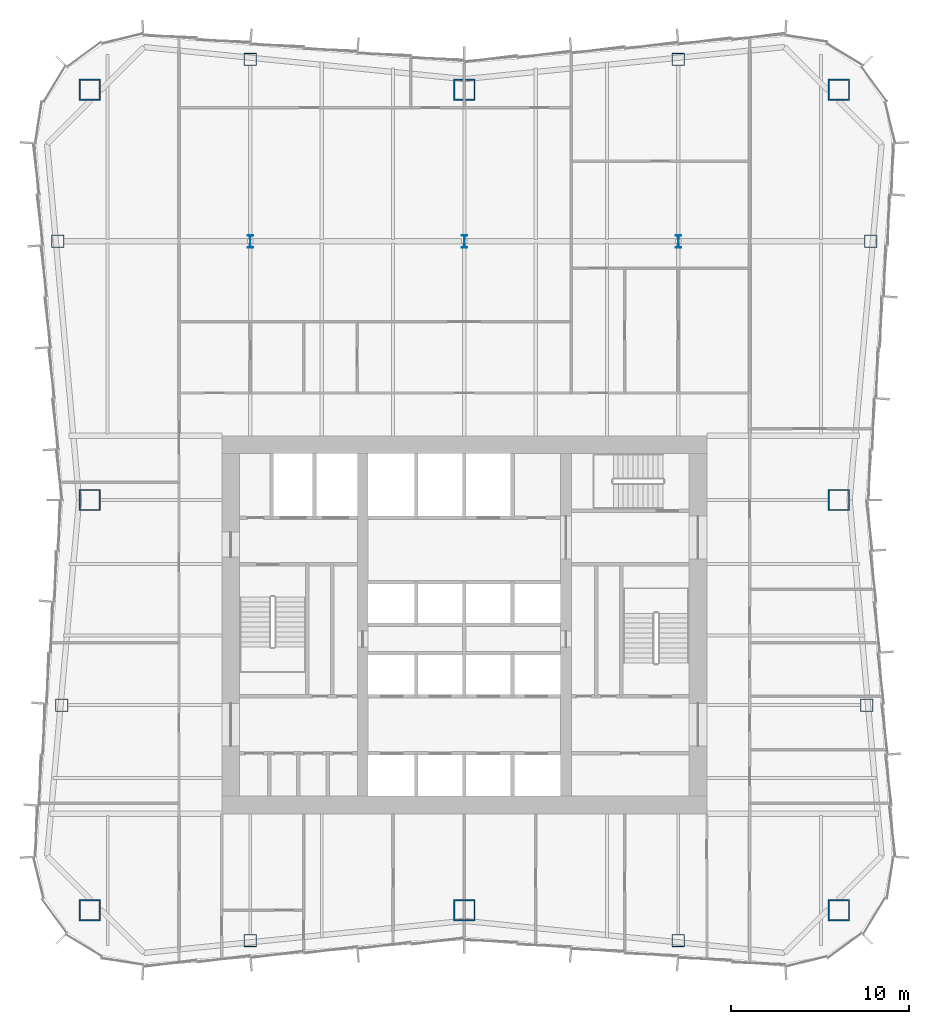
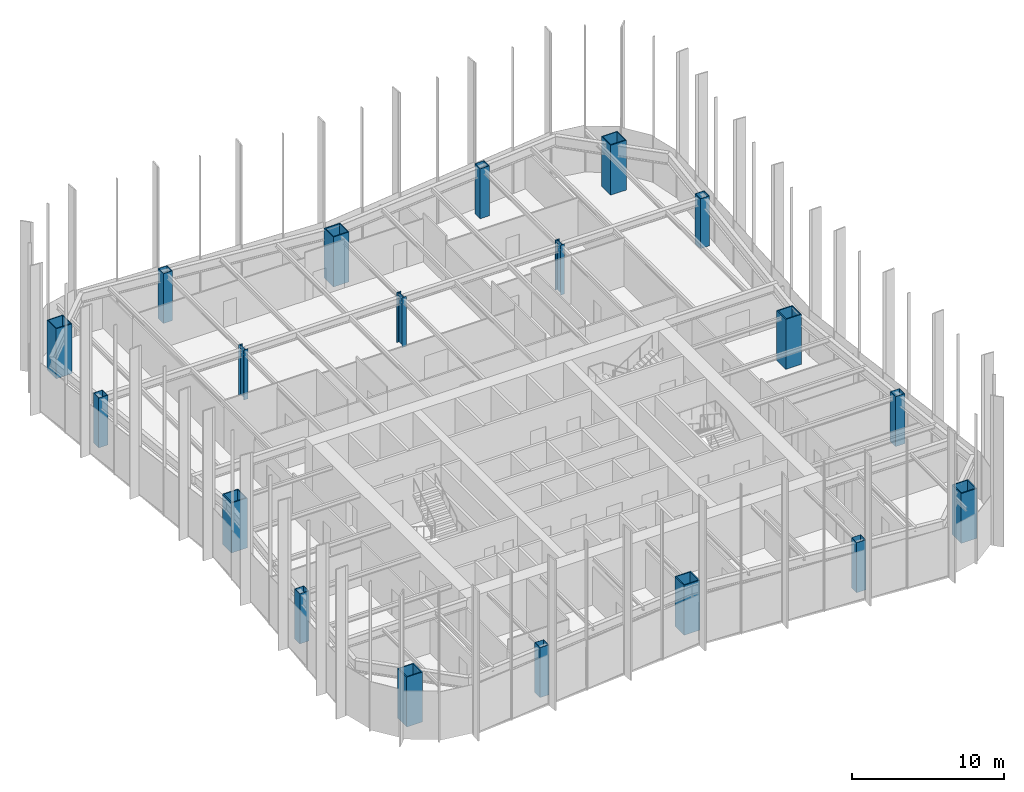
# One storey, part 1 of 14: 19 columns.
"""IFC4 building model written with IfcOpenShell, lengths in metres."""

import ifcopenshell
import ifcopenshell.guid

model = None  # the IFC model being written
_history = None  # IfcOwnerHistory: only IFC2X3 demands one
_inside = {}  # id of a spatial element -> (the spatial element, [elements in it])
_under = {}  # id of a project, library or spatial element -> (it, [spatial elements below it])
_declared = {}  # id of a project -> (the project, [libraries it declares])
_typed = {}  # id of a type object -> (the type object, [elements of that type])
_made_of = {}  # id of a material, layer set ... -> (it, [elements and type objects made of it])


def new_model(schema):
    """Start an empty IFC model of exactly this schema.

    Asked for "IFC4X3", IfcOpenShell would pick the latest addendum, in which some entities
    have other attributes; the version numbers below select the first issue.
    IFC2X3 requires an IfcOwnerHistory on every rooted entity: one is made here for all.
    """
    global model, _history
    if schema == "IFC4X3":
        model = ifcopenshell.file(schema_version=(4, 3, 0, 0))
    else:
        model = ifcopenshell.file(schema=schema)
    _inside.clear()
    _under.clear()
    _declared.clear()
    _typed.clear()
    _made_of.clear()
    _history = None
    if model.schema == "IFC2X3":
        org = make("IfcOrganization", Name="unknown")
        user = make(
            "IfcPersonAndOrganization",
            ThePerson=make("IfcPerson", FamilyName="unknown"),
            TheOrganization=org,
        )
        app = make(
            "IfcApplication",
            ApplicationDeveloper=org,
            Version="unknown",
            ApplicationFullName="unknown",
            ApplicationIdentifier="unknown",
        )
        _history = make(
            "IfcOwnerHistory",
            OwningUser=user,
            OwningApplication=app,
            ChangeAction="ADDED",
            CreationDate=0,
        )
    return model


def make(cls, **values):
    """One entity of the class cls with the attributes given. An attribute that is None is left unset."""
    return model.create_entity(
        cls, **{name: value for name, value in values.items() if value is not None}
    )


def rooted(cls, **values):
    """An entity with a GlobalId (a new one), such as an element, a storey or a relation."""
    return make(cls, GlobalId=ifcopenshell.guid.new(), OwnerHistory=_history, **values)


def si_unit(unit_type, name, prefix=None):
    """IfcSIUnit, for example si_unit("LENGTHUNIT", "METRE", prefix="MILLI")."""
    return make("IfcSIUnit", UnitType=unit_type, Prefix=prefix, Name=name)


def assignment(units):
    """IfcUnitAssignment: the units of a project."""
    return None if units is None else make("IfcUnitAssignment", Units=units)


def point(xyz):
    """IfcCartesianPoint."""
    return None if xyz is None else make("IfcCartesianPoint", Coordinates=xyz)


def direction(xyz):
    """IfcDirection."""
    return None if xyz is None else make("IfcDirection", DirectionRatios=xyz)


def frame(location, z_axis=None, x_axis=None):
    """IfcAxis2Placement3D, a coordinate frame: its origin and axes. An axis left out is left unset."""
    return make(
        "IfcAxis2Placement3D",
        Location=point(location),
        Axis=direction(z_axis),
        RefDirection=direction(x_axis),
    )


def frame_2d(location, x_axis=None):
    """IfcAxis2Placement2D, a coordinate frame in the plane: its origin and x axis."""
    return make(
        "IfcAxis2Placement2D", Location=point(location), RefDirection=direction(x_axis)
    )


def origin():
    """The frame at (0, 0, 0) with its axes left unset."""
    return frame((0.0, 0.0, 0.0))


def origin_2d():
    """The frame at (0, 0) in the plane with its x axis left unset."""
    return frame_2d((0.0, 0.0))


def place(relative_to, where):
    """IfcLocalPlacement: puts the frame where relative to a parent placement (None: the world)."""
    return make(
        "IfcLocalPlacement", PlacementRelTo=relative_to, RelativePlacement=where
    )


def context(
    kind, dimensions, precision=None, world=None, true_north=None, identifier=None
):
    """IfcGeometricRepresentationContext, for example the 3D "Model" context."""
    return make(
        "IfcGeometricRepresentationContext",
        ContextIdentifier=identifier,
        ContextType=kind,
        CoordinateSpaceDimension=dimensions,
        Precision=precision,
        WorldCoordinateSystem=world,
        TrueNorth=true_north,
    )


def subcontext(parent, identifier, kind, view, scale=None):
    """IfcGeometricRepresentationSubContext, for example "Body" below "Model"."""
    return make(
        "IfcGeometricRepresentationSubContext",
        ContextIdentifier=identifier,
        ContextType=kind,
        ParentContext=parent,
        TargetScale=scale,
        TargetView=view,
    )


def project(units=None, contexts=None):
    """IfcProject with its units and contexts."""
    return rooted(
        "IfcProject",
        Name="project",
        RepresentationContexts=contexts,
        UnitsInContext=assignment(units),
    )


def spatial(cls, under=None, at=None, **own):
    """A site, building, storey or space (cls), placed at a placement, below another one or the project."""
    s = rooted(cls, ObjectPlacement=at, **own)
    if under is not None:
        _under.setdefault(under.id(), (under, []))[1].append(s)
    return s


def profile(cls, at=None, kind="AREA", **sizes):
    """A parametric profile (cls). Its sizes go by their IFC names, for example OverallWidth=200.0."""
    return make(cls, ProfileType=kind, Position=at, **sizes)


def hollow_rectangle(**sizes):
    """IfcRectangleHollowProfileDef."""
    return profile("IfcRectangleHollowProfileDef", **sizes)


def i_section(**sizes):
    """IfcIShapeProfileDef."""
    return profile("IfcIShapeProfileDef", **sizes)


def extrude(swept, where, along, depth):
    """IfcExtrudedAreaSolid: the profile swept, set in the frame where, extruded along a direction by depth."""
    return make(
        "IfcExtrudedAreaSolid",
        SweptArea=swept,
        Position=where,
        ExtrudedDirection=direction(along),
        Depth=depth,
    )


def shape(context_of_items, identifier, shape_type, items):
    """IfcShapeRepresentation: the items that make up one representation, for example the "Body"."""
    return make(
        "IfcShapeRepresentation",
        ContextOfItems=context_of_items,
        RepresentationIdentifier=identifier,
        RepresentationType=shape_type,
        Items=items,
    )


def material(Name=None, Category=None):
    """IfcMaterial."""
    return make("IfcMaterial", Name=Name, Category=Category)


def material_profile(
    of_material, cross_section, Name=None, Category=None, Priority=None
):
    """IfcMaterialProfile: a cross section and its material."""
    return make(
        "IfcMaterialProfile",
        Name=Name,
        Material=of_material,
        Profile=cross_section,
        Priority=Priority,
        Category=Category,
    )


def profile_set(profiles, Name=None, composite=None):
    """IfcMaterialProfileSet."""
    return make(
        "IfcMaterialProfileSet",
        Name=Name,
        MaterialProfiles=profiles,
        CompositeProfile=composite,
    )


def made_of(thing, what):
    """Note that an element or type object is made of a material, layer set ...; save() writes the relation."""
    if what is not None:
        _made_of.setdefault(what.id(), (what, []))[1].append(thing)
    return thing


def type_object(cls, material=None, **own):
    """A type object (cls), such as IfcWallType, which elements share."""
    return made_of(rooted(cls, **own), material)


def element(
    cls,
    number,
    at=None,
    inside=None,
    cuts=None,
    type_object=None,
    material=None,
    context=None,
    identifier="Body",
    shape_type=None,
    held_by="IfcProductDefinitionShape",
    body=None,
    shapes=None,
    **own,
):
    """One element of the class cls, such as IfcWall. Its Tag is "e" and its number.

    at: its placement. inside: the storey or other place that contains it. cuts: it is an
    opening in that element (IfcRelVoidsElement). A single representation is given by context,
    identifier, shape_type and body (its items); several are given by shapes. held_by: the class
    of the entity that holds the representations. save() writes the other relations.
    """
    e = rooted(cls, Tag="e%d" % number, ObjectPlacement=at, **own)
    if body is not None:
        shapes = [shape(context, identifier, shape_type, body)]
    if shapes is not None:
        e.Representation = make(held_by, Representations=shapes)
    if inside is not None:
        _inside.setdefault(inside.id(), (inside, []))[1].append(e)
    if cuts is not None:
        rooted(
            "IfcRelVoidsElement", RelatingBuildingElement=cuts, RelatedOpeningElement=e
        )
    if type_object is not None:
        _typed.setdefault(type_object.id(), (type_object, []))[1].append(e)
    return made_of(e, material)


def aggregate(whole, parts):
    """IfcRelAggregates: a whole, such as a stair, and the parts it consists of."""
    return rooted("IfcRelAggregates", RelatingObject=whole, RelatedObjects=parts)


def save(model, path):
    """Write the relations noted so far, then the file.

    IfcRelAggregates (storeys below a building ...), IfcRelContainedInSpatialStructure (elements
    in a storey), IfcRelDefinesByType, IfcRelAssociatesMaterial and IfcRelDeclares: one each for
    every whole, place, type object, material and project.
    """
    for whole, parts in _under.values():
        aggregate(whole, parts)
    for where, things in _inside.values():
        rooted(
            "IfcRelContainedInSpatialStructure",
            RelatedElements=things,
            RelatingStructure=where,
        )
    for kind, things in _typed.values():
        rooted("IfcRelDefinesByType", RelatedObjects=things, RelatingType=kind)
    for what, things in _made_of.values():
        rooted("IfcRelAssociatesMaterial", RelatedObjects=things, RelatingMaterial=what)
    for by, libraries in _declared.values():
        rooted("IfcRelDeclares", RelatingContext=by, RelatedDefinitions=libraries)
    model.write(path)


model = new_model("IFC4")

# Units and contexts
model_context = context("Model", 3, precision=1e-05, world=origin(), true_north=direction((0.0, 1.0)))
body_context = subcontext(model_context, "Body", "Model", "MODEL_VIEW")
ifc_project = project(units=[si_unit("LENGTHUNIT", "METRE"), si_unit("AREAUNIT", "SQUARE_METRE"), si_unit("VOLUMEUNIT", "CUBIC_METRE"), si_unit("PLANEANGLEUNIT", "RADIAN"), si_unit("MASSUNIT", "GRAM", prefix="KILO")], contexts=[model_context])

# Site, building, storey
site_placement = place(None, origin())
site = spatial("IfcSite", under=ifc_project, at=site_placement, CompositionType="ELEMENT")
building_placement = place(site_placement, origin())
building = spatial("IfcBuilding", under=site, at=building_placement, Name="Verdant Reach Tower", CompositionType="ELEMENT")
storey_placement = place(building_placement, frame((0.0, 0.0, 150.0)))
storey = spatial("IfcBuildingStorey", under=building, at=storey_placement, Name="L34", CompositionType="ELEMENT", Elevation=150.0)

# Columns
ifc_material = material(Name="Steel S460", Category="steel")
ifc_material_profile_1 = material_profile(ifc_material, i_section(OverallWidth=0.30810546875, OverallDepth=0.716064453125, WebThickness=0.02099609375, FlangeThickness=0.0400390625, FilletRadius=0.027099609375, at=origin_2d()), Name="HEM 700")
ifc_profile_set_1 = profile_set([ifc_material_profile_1], Name="Steel S460")
column_type_1 = type_object("IfcColumnType", Name="ST-COL-HEM700", PredefinedType="COLUMN", material=ifc_profile_set_1)
for number, where, z_axis, x_axis, name in (
    (1, (-12.0, 49.5, 0.0), (0.0, 0.0, 1.0), (1.0, 0.0, 0.0), "Interior column 1, L34"),
    (2, (0.0, 49.5, 0.0), (0.0, 0.0, 1.0), (1.0, 0.0, 0.0), "Interior column 2, L34"),
    (3, (12.0, 49.5, 0.0), (0.0, 0.0, 1.0), (1.0, 0.0, 0.0), "Interior column 3, L34"),
):
    element("IfcColumn", number, at=place(storey_placement, frame(where, z_axis=z_axis, x_axis=x_axis)), inside=storey, type_object=column_type_1, Name=name, PredefinedType="COLUMN", context=body_context, shape_type="SweptSolid", body=[
        extrude(i_section(OverallWidth=0.30810546875, OverallDepth=0.716064453125, WebThickness=0.02099609375, FlangeThickness=0.0400390625, FilletRadius=0.027099609375, at=origin_2d()), origin(), (0.0, 0.0, 1.0), 4.0),
    ])
ifc_material_profile_2 = material_profile(ifc_material, hollow_rectangle(XDim=1.199951171875, YDim=1.199951171875, WallThickness=0.070068359375, at=origin_2d()), Name="WB 1200x1200x70")
ifc_profile_set_2 = profile_set([ifc_material_profile_2], Name="Steel S460")
column_type_2 = type_object("IfcColumnType", Name="ST-COL-WB1200x1200x70", PredefinedType="COLUMN", material=ifc_profile_set_2)
for number, where, z_axis, x_axis, name in (
    (4, (-21.0, 58.0, 0.0), (0.0, 0.0, 1.0), (1.0, 0.0, 0.0), "Mega column north-west, L34"),
    (5, (0.0, 58.0, 0.0), (0.0, 0.0, 1.0), (1.0, 0.0, 0.0), "Mega column north, L34"),
    (6, (21.0, 58.0, 0.0), (0.0, 0.0, 1.0), (1.0, 0.0, 0.0), "Mega column north-east, L34"),
    (7, (21.0, 35.0, 0.0), (0.0, 0.0, 1.0), (1.0, 0.0, 0.0), "Mega column east, L34"),
    (8, (21.0, 12.0, 0.0), (0.0, 0.0, 1.0), (1.0, 0.0, 0.0), "Mega column south-east, L34"),
    (9, (0.0, 12.0, 0.0), (0.0, 0.0, 1.0), (1.0, 0.0, 0.0), "Mega column south, L34"),
    (10, (-21.0, 12.0, 0.0), (0.0, 0.0, 1.0), (1.0, 0.0, 0.0), "Mega column south-west, L34"),
    (11, (-21.0, 35.0, 0.0), (0.0, 0.0, 1.0), (1.0, 0.0, 0.0), "Mega column west, L34"),
):
    element("IfcColumn", number, at=place(storey_placement, frame(where, z_axis=z_axis, x_axis=x_axis)), inside=storey, type_object=column_type_2, Name=name, PredefinedType="COLUMN", context=body_context, shape_type="SweptSolid", body=[
        extrude(hollow_rectangle(XDim=1.199951171875, YDim=1.199951171875, WallThickness=0.070068359375, at=origin_2d()), origin(), (0.0, 0.0, 1.0), 4.0),
    ])
ifc_material_profile_3 = material_profile(ifc_material, hollow_rectangle(XDim=0.699951171875, YDim=0.699951171875, WallThickness=0.030029296875, at=origin_2d()), Name="WB 700x700x30")
ifc_profile_set_3 = profile_set([ifc_material_profile_3], Name="Steel S460")
column_type_3 = type_object("IfcColumnType", Name="ST-COL-WB700x700x30", PredefinedType="COLUMN", material=ifc_profile_set_3)
for number, where, z_axis, x_axis, name in (
    (12, (-12.0, 59.699951171875, 0.0), (0.0, 0.0, 1.0), (1.0, 0.0, 0.0), "Perimeter column north 1, L34"),
    (13, (12.0, 59.699951171875, 0.0), (0.0, 0.0, 1.0), (1.0, 0.0, 0.0), "Perimeter column north 2, L34"),
    (14, (-12.0, 10.300048828125, 0.0), (0.0, 0.0, 1.0), (1.0, 0.0, 0.0), "Perimeter column south 1, L34"),
    (15, (12.0, 10.300048828125, 0.0), (0.0, 0.0, 1.0), (1.0, 0.0, 0.0), "Perimeter column south 2, L34"),
    (16, (22.5625, 23.5, 0.0), (0.0, 0.0, 1.0), (1.0, 0.0, 0.0), "Perimeter column east 1, L34"),
    (17, (22.78759765625, 49.5, 0.0), (0.0, 0.0, 1.0), (1.0, 0.0, 0.0), "Perimeter column east 2, L34"),
    (18, (-22.5625, 23.5, 0.0), (0.0, 0.0, 1.0), (1.0, 0.0, 0.0), "Perimeter column west 1, L34"),
    (19, (-22.78759765625, 49.5, 0.0), (0.0, 0.0, 1.0), (1.0, 0.0, 0.0), "Perimeter column west 2, L34"),
):
    element("IfcColumn", number, at=place(storey_placement, frame(where, z_axis=z_axis, x_axis=x_axis)), inside=storey, type_object=column_type_3, Name=name, PredefinedType="COLUMN", context=body_context, shape_type="SweptSolid", body=[
        extrude(hollow_rectangle(XDim=0.699951171875, YDim=0.699951171875, WallThickness=0.030029296875, at=origin_2d()), origin(), (0.0, 0.0, 1.0), 4.0),
    ])

save(model, "model.ifc")
